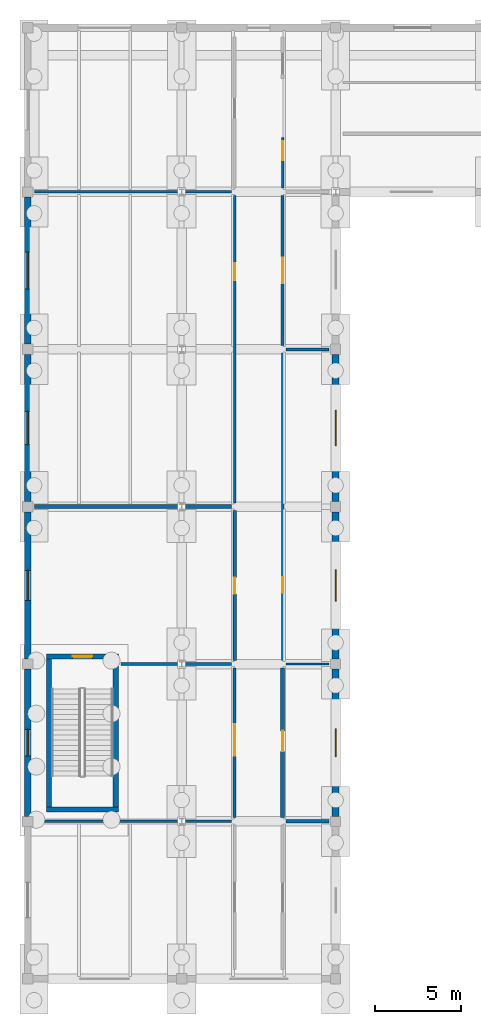
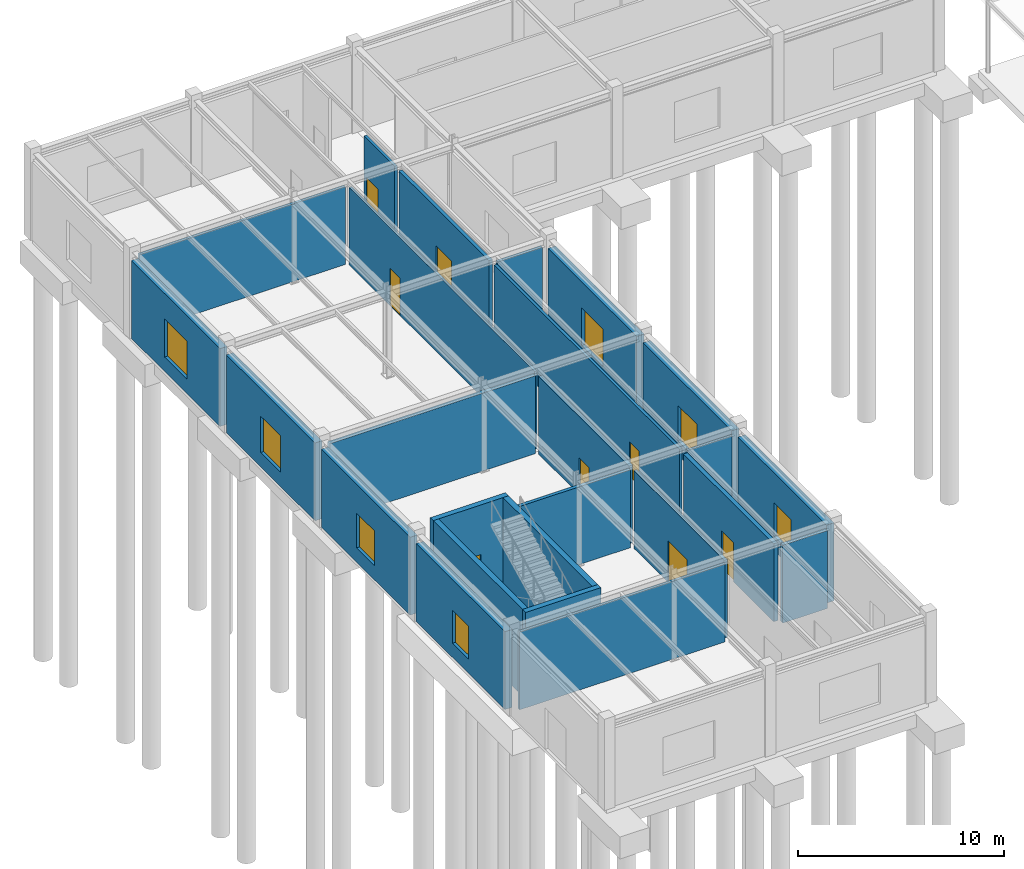
# One storey, part 58 of 76: 25 walls, 8 doors, 7 windows, 15 openings.
"""IFC4 building model written with IfcOpenShell, lengths in metres."""

import ifcopenshell
import ifcopenshell.guid

model = None  # the IFC model being written
_history = None  # IfcOwnerHistory: only IFC2X3 demands one
_inside = {}  # id of a spatial element -> (the spatial element, [elements in it])
_under = {}  # id of a project, library or spatial element -> (it, [spatial elements below it])
_declared = {}  # id of a project -> (the project, [libraries it declares])
_typed = {}  # id of a type object -> (the type object, [elements of that type])
_made_of = {}  # id of a material, layer set ... -> (it, [elements and type objects made of it])


def new_model(schema):
    """Start an empty IFC model of exactly this schema.

    Asked for "IFC4X3", IfcOpenShell would pick the latest addendum, in which some entities
    have other attributes; the version numbers below select the first issue.
    IFC2X3 requires an IfcOwnerHistory on every rooted entity: one is made here for all.
    """
    global model, _history
    if schema == "IFC4X3":
        model = ifcopenshell.file(schema_version=(4, 3, 0, 0))
    else:
        model = ifcopenshell.file(schema=schema)
    _inside.clear()
    _under.clear()
    _declared.clear()
    _typed.clear()
    _made_of.clear()
    _history = None
    if model.schema == "IFC2X3":
        org = make("IfcOrganization", Name="unknown")
        user = make(
            "IfcPersonAndOrganization",
            ThePerson=make("IfcPerson", FamilyName="unknown"),
            TheOrganization=org,
        )
        app = make(
            "IfcApplication",
            ApplicationDeveloper=org,
            Version="unknown",
            ApplicationFullName="unknown",
            ApplicationIdentifier="unknown",
        )
        _history = make(
            "IfcOwnerHistory",
            OwningUser=user,
            OwningApplication=app,
            ChangeAction="ADDED",
            CreationDate=0,
        )
    return model


def make(cls, **values):
    """One entity of the class cls with the attributes given. An attribute that is None is left unset."""
    return model.create_entity(
        cls, **{name: value for name, value in values.items() if value is not None}
    )


def rooted(cls, **values):
    """An entity with a GlobalId (a new one), such as an element, a storey or a relation."""
    return make(cls, GlobalId=ifcopenshell.guid.new(), OwnerHistory=_history, **values)


def si_unit(unit_type, name, prefix=None):
    """IfcSIUnit, for example si_unit("LENGTHUNIT", "METRE", prefix="MILLI")."""
    return make("IfcSIUnit", UnitType=unit_type, Prefix=prefix, Name=name)


def assignment(units):
    """IfcUnitAssignment: the units of a project."""
    return None if units is None else make("IfcUnitAssignment", Units=units)


def point(xyz):
    """IfcCartesianPoint."""
    return None if xyz is None else make("IfcCartesianPoint", Coordinates=xyz)


def direction(xyz):
    """IfcDirection."""
    return None if xyz is None else make("IfcDirection", DirectionRatios=xyz)


def frame(location, z_axis=None, x_axis=None):
    """IfcAxis2Placement3D, a coordinate frame: its origin and axes. An axis left out is left unset."""
    return make(
        "IfcAxis2Placement3D",
        Location=point(location),
        Axis=direction(z_axis),
        RefDirection=direction(x_axis),
    )


def frame_2d(location, x_axis=None):
    """IfcAxis2Placement2D, a coordinate frame in the plane: its origin and x axis."""
    return make(
        "IfcAxis2Placement2D", Location=point(location), RefDirection=direction(x_axis)
    )


def origin():
    """The frame at (0, 0, 0) with its axes left unset."""
    return frame((0.0, 0.0, 0.0))


def place(relative_to, where):
    """IfcLocalPlacement: puts the frame where relative to a parent placement (None: the world)."""
    return make(
        "IfcLocalPlacement", PlacementRelTo=relative_to, RelativePlacement=where
    )


def context(
    kind, dimensions, precision=None, world=None, true_north=None, identifier=None
):
    """IfcGeometricRepresentationContext, for example the 3D "Model" context."""
    return make(
        "IfcGeometricRepresentationContext",
        ContextIdentifier=identifier,
        ContextType=kind,
        CoordinateSpaceDimension=dimensions,
        Precision=precision,
        WorldCoordinateSystem=world,
        TrueNorth=true_north,
    )


def subcontext(parent, identifier, kind, view, scale=None):
    """IfcGeometricRepresentationSubContext, for example "Body" below "Model"."""
    return make(
        "IfcGeometricRepresentationSubContext",
        ContextIdentifier=identifier,
        ContextType=kind,
        ParentContext=parent,
        TargetScale=scale,
        TargetView=view,
    )


def project(units=None, contexts=None):
    """IfcProject with its units and contexts."""
    return rooted(
        "IfcProject",
        Name="project",
        RepresentationContexts=contexts,
        UnitsInContext=assignment(units),
    )


def spatial(cls, under=None, at=None, **own):
    """A site, building, storey or space (cls), placed at a placement, below another one or the project."""
    s = rooted(cls, ObjectPlacement=at, **own)
    if under is not None:
        _under.setdefault(under.id(), (under, []))[1].append(s)
    return s


def profile(cls, at=None, kind="AREA", **sizes):
    """A parametric profile (cls). Its sizes go by their IFC names, for example OverallWidth=200.0."""
    return make(cls, ProfileType=kind, Position=at, **sizes)


def rectangle(**sizes):
    """IfcRectangleProfileDef."""
    return profile("IfcRectangleProfileDef", **sizes)


def extrude(swept, where, along, depth):
    """IfcExtrudedAreaSolid: the profile swept, set in the frame where, extruded along a direction by depth."""
    return make(
        "IfcExtrudedAreaSolid",
        SweptArea=swept,
        Position=where,
        ExtrudedDirection=direction(along),
        Depth=depth,
    )


def shape(context_of_items, identifier, shape_type, items):
    """IfcShapeRepresentation: the items that make up one representation, for example the "Body"."""
    return make(
        "IfcShapeRepresentation",
        ContextOfItems=context_of_items,
        RepresentationIdentifier=identifier,
        RepresentationType=shape_type,
        Items=items,
    )


def material(Name=None, Category=None):
    """IfcMaterial."""
    return make("IfcMaterial", Name=Name, Category=Category)


def layer(
    of_material, thickness, ventilated=None, Name=None, Category=None, Priority=None
):
    """IfcMaterialLayer: one layer of a wall or slab, of a material (None: an air gap)."""
    return make(
        "IfcMaterialLayer",
        Material=of_material,
        LayerThickness=thickness,
        IsVentilated=ventilated,
        Name=Name,
        Category=Category,
        Priority=Priority,
    )


def layer_set(layers, Name=None):
    """IfcMaterialLayerSet."""
    return make("IfcMaterialLayerSet", MaterialLayers=layers, LayerSetName=Name)


def made_of(thing, what):
    """Note that an element or type object is made of a material, layer set ...; save() writes the relation."""
    if what is not None:
        _made_of.setdefault(what.id(), (what, []))[1].append(thing)
    return thing


def type_object(cls, material=None, **own):
    """A type object (cls), such as IfcWallType, which elements share."""
    return made_of(rooted(cls, **own), material)


def element(
    cls,
    number,
    at=None,
    inside=None,
    cuts=None,
    type_object=None,
    material=None,
    context=None,
    identifier="Body",
    shape_type=None,
    held_by="IfcProductDefinitionShape",
    body=None,
    shapes=None,
    **own,
):
    """One element of the class cls, such as IfcWall. Its Tag is "e" and its number.

    at: its placement. inside: the storey or other place that contains it. cuts: it is an
    opening in that element (IfcRelVoidsElement). A single representation is given by context,
    identifier, shape_type and body (its items); several are given by shapes. held_by: the class
    of the entity that holds the representations. save() writes the other relations.
    """
    e = rooted(cls, Tag="e%d" % number, ObjectPlacement=at, **own)
    if body is not None:
        shapes = [shape(context, identifier, shape_type, body)]
    if shapes is not None:
        e.Representation = make(held_by, Representations=shapes)
    if inside is not None:
        _inside.setdefault(inside.id(), (inside, []))[1].append(e)
    if cuts is not None:
        rooted(
            "IfcRelVoidsElement", RelatingBuildingElement=cuts, RelatedOpeningElement=e
        )
    if type_object is not None:
        _typed.setdefault(type_object.id(), (type_object, []))[1].append(e)
    return made_of(e, material)


def fill(opening, filler):
    """IfcRelFillsElement: the door or window that sits in an opening."""
    return rooted(
        "IfcRelFillsElement",
        RelatingOpeningElement=opening,
        RelatedBuildingElement=filler,
    )


def aggregate(whole, parts):
    """IfcRelAggregates: a whole, such as a stair, and the parts it consists of."""
    return rooted("IfcRelAggregates", RelatingObject=whole, RelatedObjects=parts)


def save(model, path):
    """Write the relations noted so far, then the file.

    IfcRelAggregates (storeys below a building ...), IfcRelContainedInSpatialStructure (elements
    in a storey), IfcRelDefinesByType, IfcRelAssociatesMaterial and IfcRelDeclares: one each for
    every whole, place, type object, material and project.
    """
    for whole, parts in _under.values():
        aggregate(whole, parts)
    for where, things in _inside.values():
        rooted(
            "IfcRelContainedInSpatialStructure",
            RelatedElements=things,
            RelatingStructure=where,
        )
    for kind, things in _typed.values():
        rooted("IfcRelDefinesByType", RelatedObjects=things, RelatingType=kind)
    for what, things in _made_of.values():
        rooted("IfcRelAssociatesMaterial", RelatedObjects=things, RelatingMaterial=what)
    for by, libraries in _declared.values():
        rooted("IfcRelDeclares", RelatingContext=by, RelatedDefinitions=libraries)
    model.write(path)


model = new_model("IFC4")

# Units and contexts
model_context = context("Model", 3, precision=1e-05, world=origin(), true_north=direction((0.0, 1.0)))
body_context = subcontext(model_context, "Body", "Model", "MODEL_VIEW")
ifc_project = project(units=[si_unit("LENGTHUNIT", "METRE"), si_unit("AREAUNIT", "SQUARE_METRE"), si_unit("VOLUMEUNIT", "CUBIC_METRE"), si_unit("PLANEANGLEUNIT", "RADIAN"), si_unit("MASSUNIT", "GRAM", prefix="KILO")], contexts=[model_context])

# Site, building, storey
site_placement = place(None, origin())
site = spatial("IfcSite", under=ifc_project, at=site_placement, CompositionType="ELEMENT")
building_placement = place(site_placement, origin())
building = spatial("IfcBuilding", under=site, at=building_placement, Name="Bozkorgan Art Gallery", CompositionType="ELEMENT")
storey_placement = place(building_placement, origin())
storey = spatial("IfcBuildingStorey", under=building, at=storey_placement, Name="L00", CompositionType="ELEMENT", Elevation=0.0)

# Wall, opening, door
ifc_material_1 = material(Name="Concrete C40/50", Category="concrete")
ifc_layer_1 = layer(ifc_material_1, 0.300048828125, Name="Concrete C40/50")
ifc_layer_set_1 = layer_set([ifc_layer_1], Name="Concrete C40/50")
wall_type_1 = type_object("IfcWallType", Name="IWALL-CW-44", PredefinedType="SHEAR", material=ifc_layer_set_1)
wall_1_placement = place(storey_placement, frame((3.10009765625, 75.64990234375, 0.0), z_axis=(0.0, 0.0, 1.0), x_axis=(1.0, 0.0, 0.0)))
wall_1 = element("IfcWall", 1, at=wall_1_placement, inside=storey, type_object=wall_type_1, Name="CORE5 L00 stair core north shear wall", PredefinedType="SHEAR", context=body_context, shape_type="SweptSolid", body=[
    extrude(rectangle(XDim=4.199951171875, YDim=0.300048828125, at=frame_2d((2.10009765625, 0.0))), origin(), (0.0, 0.0, 1.0), 5.139892578125),
])
opening_1_placement = place(wall_1_placement, frame((1.52490234375, 0.0, 0.0)))
opening_1 = element("IfcOpeningElement", 2, at=opening_1_placement, cuts=wall_1, Name="Opening SD-41", PredefinedType="OPENING", context=body_context, shape_type="SweptSolid", body=[
    extrude(rectangle(XDim=1.14990234375, YDim=2.199951171875, at=frame_2d((0.574951171875, 1.10009765625))), frame((0.0, 0.16015625, 0.0), z_axis=(0.0, -1.0, 0.0), x_axis=(1.0, 0.0, 0.0)), (0.0, 0.0, 1.0), 0.320068359375),
])
ifc_material_2 = material(Name="Steel S355J2", Category="steel")
door_type_1 = type_object("IfcDoorType", Name="IDOOR-SD-41", OperationType="NOTDEFINED", PredefinedType="DOOR", material=ifc_material_2)
door_1_placement = place(opening_1_placement, origin())
door_1 = element("IfcDoor", 3, at=door_1_placement, inside=storey, type_object=door_type_1, Name="ST5 L00 Fire Stair Door", OperationType="SINGLE_SWING_LEFT", OverallHeight=2.199951171875, OverallWidth=1.14990234375, PredefinedType="DOOR", context=body_context, shape_type="SweptSolid", body=[
    extrude(rectangle(XDim=1.14990234375, YDim=2.199951171875, at=frame_2d((0.574951171875, 1.10009765625))), frame((0.0, 0.02490234375, 0.0), z_axis=(0.0, -1.0, 0.0), x_axis=(1.0, 0.0, 0.0)), (0.0, 0.0, 1.0), 0.050048828125),
])
fill(opening_1, door_1)

# Walls
wall_2_placement = place(storey_placement, frame((3.10009765625, 66.699951171875, 0.0), z_axis=(0.0, 0.0, 1.0), x_axis=(1.0, 0.0, 0.0)))
element("IfcWall", 4, at=wall_2_placement, inside=storey, type_object=wall_type_1, Name="CORE5 L00 stair core S shear wall", PredefinedType="SHEAR", context=body_context, shape_type="SweptSolid", body=[
    extrude(rectangle(XDim=4.199951171875, YDim=0.300048828125, at=frame_2d((2.10009765625, 0.0))), origin(), (0.0, 0.0, 1.0), 5.139892578125),
])
for number, where, z_axis, x_axis, name in (
    (5, (3.25, 66.85009765625, 0.0), (0.0, 0.0, 1.0), (0.0, 1.0, 0.0), "CORE5 L00 stair core W shear wall"),
    (6, (7.14990234375, 66.85009765625, 0.0), (0.0, 0.0, 1.0), (0.0, 1.0, 0.0), "CORE5 L00 stair core E shear wall"),
):
    element("IfcWall", number, at=place(storey_placement, frame(where, z_axis=z_axis, x_axis=x_axis)), inside=storey, type_object=wall_type_1, Name=name, PredefinedType="SHEAR", context=body_context, shape_type="SweptSolid", body=[
        extrude(rectangle(XDim=8.64990234375, YDim=0.300048828125, at=frame_2d((4.324951171875, 0.0))), origin(), (0.0, 0.0, 1.0), 5.139892578125),
    ])

# Wall, opening, door
ifc_material_3 = material(Name="Acoustic Gypsum & Mineral Wool Partition")
ifc_layer_2 = layer(ifc_material_3, 0.22998046875, Name="Acoustic Gypsum & Mineral Wool Partition")
ifc_layer_set_2 = layer_set([ifc_layer_2], Name="Acoustic Gypsum & Mineral Wool Partition")
wall_type_2 = type_object("IfcWallType", Name="IWALL-PR-08", PredefinedType="PARTITIONING", material=ifc_layer_set_2)
wall_3_placement = place(storey_placement, frame((16.89990234375, 66.219970703125, 0.0), z_axis=(0.0, 0.0, 1.0), x_axis=(0.0, 1.0, 0.0)))
wall_3 = element("IfcWall", 7, at=wall_3_placement, inside=storey, type_object=wall_type_2, Name="V2 L00 acoustic partition wall 137", PredefinedType="PARTITIONING", context=body_context, shape_type="SweptSolid", body=[
    extrude(rectangle(XDim=8.760009765625, YDim=0.22998046875, at=frame_2d((4.3798828125, 0.0))), origin(), (0.0, 0.0, 1.0), 4.60498046875),
])
opening_2_placement = place(wall_3_placement, frame((3.8798828125, 0.0, 0.0)))
opening_2 = element("IfcOpeningElement", 8, at=opening_2_placement, cuts=wall_3, Name="Opening FD-05", PredefinedType="OPENING", context=body_context, shape_type="SweptSolid", body=[
    extrude(rectangle(XDim=1.199951171875, YDim=2.300048828125, at=frame_2d((0.60009765625, 1.14990234375))), frame((0.0, 0.125, 0.0), z_axis=(0.0, -1.0, 0.0), x_axis=(1.0, 0.0, 0.0)), (0.0, 0.0, 1.0), 0.25),
])
ifc_material_4 = material(Name="Oiled European Oak Joinery")
door_type_2 = type_object("IfcDoorType", Name="IDOOR-FD-05", OperationType="NOTDEFINED", PredefinedType="DOOR", material=ifc_material_4)
door_2_placement = place(opening_2_placement, origin())
door_2 = element("IfcDoor", 9, at=door_2_placement, inside=storey, type_object=door_type_2, Name="Exhibition Catalogue Salon Door", OperationType="SINGLE_SWING_RIGHT", OverallHeight=2.300048828125, OverallWidth=1.199951171875, PredefinedType="DOOR", context=body_context, shape_type="SweptSolid", body=[
    extrude(rectangle(XDim=1.199951171875, YDim=2.300048828125, at=frame_2d((0.60009765625, 1.14990234375))), frame((0.0, 0.02490234375, 0.0), z_axis=(0.0, -1.0, 0.0), x_axis=(1.0, 0.0, 0.0)), (0.0, 0.0, 1.0), 0.050048828125),
])
fill(opening_2, door_2)

ifc_layer_3 = layer(ifc_material_3, 0.2099609375, Name="Acoustic Gypsum & Mineral Wool Partition")
ifc_layer_set_3 = layer_set([ifc_layer_3], Name="Acoustic Gypsum & Mineral Wool Partition")
wall_type_3 = type_object("IfcWallType", Name="IWALL-PR-38", PredefinedType="PARTITIONING", material=ifc_layer_set_3)
wall_4_placement = place(storey_placement, frame((14.10009765625, 75.419921875, 0.0), z_axis=(0.0, 0.0, 1.0), x_axis=(0.0, 1.0, 0.0)))
wall_4 = element("IfcWall", 10, at=wall_4_placement, inside=storey, type_object=wall_type_3, Name="V2 L00 acoustic partition wall 130", PredefinedType="PARTITIONING", context=body_context, shape_type="SweptSolid", body=[
    extrude(rectangle(XDim=8.760009765625, YDim=0.2099609375, at=frame_2d((4.3798828125, 0.0))), origin(), (0.0, 0.0, 1.0), 4.60498046875),
])
opening_3_placement = place(wall_4_placement, frame((4.829833984375, 0.0, 0.0), z_axis=(0.0, 0.0, 1.0), x_axis=(-1.0, 0.0, 0.0)))
opening_3 = element("IfcOpeningElement", 11, at=opening_3_placement, cuts=wall_4, Name="Opening FD-92", PredefinedType="OPENING", context=body_context, shape_type="SweptSolid", body=[
    extrude(rectangle(XDim=0.949951171875, YDim=2.14990234375, at=frame_2d((0.47509765625, 1.074951171875))), frame((0.0, 0.114990234375, 0.0), z_axis=(0.0, -1.0, 0.0), x_axis=(1.0, 0.0, 0.0)), (0.0, 0.0, 1.0), 0.22998046875),
])
door_type_3 = type_object("IfcDoorType", Name="IDOOR-FD-92", OperationType="NOTDEFINED", PredefinedType="DOOR", material=ifc_material_4)
door_3_placement = place(opening_3_placement, origin())
door_3 = element("IfcDoor", 12, at=door_3_placement, inside=storey, type_object=door_type_3, Name="Garden Espresso Cafe Door", OperationType="SINGLE_SWING_RIGHT", OverallHeight=2.14990234375, OverallWidth=0.949951171875, PredefinedType="DOOR", context=body_context, shape_type="SweptSolid", body=[
    extrude(rectangle(XDim=0.949951171875, YDim=2.14990234375, at=frame_2d((0.47509765625, 1.074951171875))), frame((0.0, 0.02490234375, 0.0), z_axis=(0.0, -1.0, 0.0), x_axis=(1.0, 0.0, 0.0)), (0.0, 0.0, 1.0), 0.050048828125),
])
fill(opening_3, door_3)

ifc_layer_4 = layer(ifc_material_3, 0.169921875, Name="Acoustic Gypsum & Mineral Wool Partition")
ifc_layer_set_4 = layer_set([ifc_layer_4], Name="Acoustic Gypsum & Mineral Wool Partition")
wall_type_4 = type_object("IfcWallType", Name="IWALL-PR-40", PredefinedType="PARTITIONING", material=ifc_layer_set_4)
wall_5_placement = place(storey_placement, frame((14.10009765625, 66.219970703125, 0.0), z_axis=(0.0, 0.0, 1.0), x_axis=(0.0, 1.0, 0.0)))
wall_5 = element("IfcWall", 13, at=wall_5_placement, inside=storey, type_object=wall_type_4, Name="V2 L00 acoustic partition wall 128", PredefinedType="PARTITIONING", context=body_context, shape_type="SweptSolid", body=[
    extrude(rectangle(XDim=8.760009765625, YDim=0.169921875, at=frame_2d((4.3798828125, 0.0))), origin(), (0.0, 0.0, 1.0), 4.60498046875),
])
opening_4_placement = place(wall_5_placement, frame((5.449951171875, 0.0, 0.0), z_axis=(0.0, 0.0, 1.0), x_axis=(-1.0, 0.0, 0.0)))
opening_4 = element("IfcOpeningElement", 14, at=opening_4_placement, cuts=wall_5, Name="Opening GD-31", PredefinedType="OPENING", context=body_context, shape_type="SweptSolid", body=[
    extrude(rectangle(XDim=1.820068359375, YDim=2.4599609375, at=frame_2d((0.91015625, 1.22998046875))), frame((0.0, 0.094970703125, 0.0), z_axis=(0.0, -1.0, 0.0), x_axis=(1.0, 0.0, 0.0)), (0.0, 0.0, 1.0), 0.18994140625),
])
door_type_4 = type_object("IfcDoorType", Name="IDOOR-GD-31", OperationType="NOTDEFINED", PredefinedType="DOOR", material=ifc_material_4)
door_4_placement = place(opening_4_placement, origin())
door_4 = element("IfcDoor", 15, at=door_4_placement, inside=storey, type_object=door_type_4, Name="Ceramic Tilework Gallery Door", OperationType="DOUBLE_DOOR_SINGLE_SWING", OverallHeight=2.4599609375, OverallWidth=1.820068359375, PredefinedType="DOOR", context=body_context, shape_type="SweptSolid", body=[
    extrude(rectangle(XDim=1.820068359375, YDim=2.4599609375, at=frame_2d((0.91015625, 1.22998046875))), frame((0.0, 0.02490234375, 0.0), z_axis=(0.0, -1.0, 0.0), x_axis=(1.0, 0.0, 0.0)), (0.0, 0.0, 1.0), 0.050048828125),
])
fill(opening_4, door_4)

ifc_layer_5 = layer(ifc_material_3, 0.14990234375, Name="Acoustic Gypsum & Mineral Wool Partition")
ifc_layer_set_5 = layer_set([ifc_layer_5], Name="Acoustic Gypsum & Mineral Wool Partition")
wall_type_5 = type_object("IfcWallType", Name="IWALL-PR-55", PredefinedType="PARTITIONING", material=ifc_layer_set_5)
wall_6_placement = place(storey_placement, frame((16.89990234375, 75.419921875, 0.0), z_axis=(0.0, 0.0, 1.0), x_axis=(0.0, 1.0, 0.0)))
wall_6 = element("IfcWall", 16, at=wall_6_placement, inside=storey, type_object=wall_type_5, Name="V2 L00 acoustic partition wall 139", PredefinedType="PARTITIONING", context=body_context, shape_type="SweptSolid", body=[
    extrude(rectangle(XDim=17.9599609375, YDim=0.14990234375, at=frame_2d((8.97998046875, 0.0))), origin(), (0.0, 0.0, 1.0), 4.60498046875),
])
opening_5_placement = place(wall_6_placement, frame((3.935546875, 0.0, 0.0)))
opening_5 = element("IfcOpeningElement", 17, at=opening_5_placement, cuts=wall_6, Name="Opening FD-12", PredefinedType="OPENING", context=body_context, shape_type="SweptSolid", body=[
    extrude(rectangle(XDim=0.919921875, YDim=2.1201171875, at=frame_2d((0.4599609375, 1.06005859375))), frame((0.0, 0.0849609375, 0.0), z_axis=(0.0, -1.0, 0.0), x_axis=(1.0, 0.0, 0.0)), (0.0, 0.0, 1.0), 0.169921875),
])
door_type_5 = type_object("IfcDoorType", Name="IDOOR-FD-12", OperationType="NOTDEFINED", PredefinedType="DOOR", material=ifc_material_4)
door_5_placement = place(opening_5_placement, origin())
door_5 = element("IfcDoor", 18, at=door_5_placement, inside=storey, type_object=door_type_5, Name="Visitor Cloakroom Door", OperationType="SINGLE_SWING_LEFT", OverallHeight=2.1201171875, OverallWidth=0.919921875, PredefinedType="DOOR", context=body_context, shape_type="SweptSolid", body=[
    extrude(rectangle(XDim=0.919921875, YDim=2.1201171875, at=frame_2d((0.4599609375, 1.06005859375))), frame((0.0, 0.02490234375, 0.0), z_axis=(0.0, -1.0, 0.0), x_axis=(1.0, 0.0, 0.0)), (0.0, 0.0, 1.0), 0.050048828125),
])
fill(opening_5, door_5)

wall_7_placement = place(storey_placement, frame((16.89990234375, 103.02001953125, 0.0), z_axis=(0.0, 0.0, 1.0), x_axis=(0.0, 1.0, 0.0)))
wall_7 = element("IfcWall", 19, at=wall_7_placement, inside=storey, type_object=wall_type_5, Name="V2 L00 acoustic partition wall 145", PredefinedType="PARTITIONING", context=body_context, shape_type="SweptSolid", body=[
    extrude(rectangle(XDim=2.9599609375, YDim=0.14990234375, at=frame_2d((1.47998046875, 0.0))), origin(), (0.0, 0.0, 1.0), 4.60498046875),
])
opening_6_placement = place(wall_7_placement, frame((1.6201171875, 0.0, 0.0)))
opening_6 = element("IfcOpeningElement", 20, at=opening_6_placement, cuts=wall_7, Name="Opening FD-89", PredefinedType="OPENING", context=body_context, shape_type="SweptSolid", body=[
    extrude(rectangle(XDim=1.1201171875, YDim=2.260009765625, at=frame_2d((0.56005859375, 1.1298828125))), frame((0.0, 0.0849609375, 0.0), z_axis=(0.0, -1.0, 0.0), x_axis=(1.0, 0.0, 0.0)), (0.0, 0.0, 1.0), 0.169921875),
])
door_type_6 = type_object("IfcDoorType", Name="IDOOR-FD-89", OperationType="NOTDEFINED", PredefinedType="DOOR", material=ifc_material_4)
door_6_placement = place(opening_6_placement, origin())
door_6 = element("IfcDoor", 21, at=door_6_placement, inside=storey, type_object=door_type_6, Name="Artist Talk Salon Door", OperationType="SINGLE_SWING_LEFT", OverallHeight=2.260009765625, OverallWidth=1.1201171875, PredefinedType="DOOR", context=body_context, shape_type="SweptSolid", body=[
    extrude(rectangle(XDim=1.1201171875, YDim=2.260009765625, at=frame_2d((0.56005859375, 1.1298828125))), frame((0.0, 0.02490234375, 0.0), z_axis=(0.0, -1.0, 0.0), x_axis=(1.0, 0.0, 0.0)), (0.0, 0.0, 1.0), 0.050048828125),
])
fill(opening_6, door_6)

ifc_layer_6 = layer(ifc_material_3, 0.18994140625, Name="Acoustic Gypsum & Mineral Wool Partition")
ifc_layer_set_6 = layer_set([ifc_layer_6], Name="Acoustic Gypsum & Mineral Wool Partition")
wall_type_6 = type_object("IfcWallType", Name="IWALL-PR-66", PredefinedType="PARTITIONING", material=ifc_layer_set_6)
wall_8_placement = place(storey_placement, frame((16.89990234375, 93.820068359375, 0.0), z_axis=(0.0, 0.0, 1.0), x_axis=(0.0, 1.0, 0.0)))
wall_8 = element("IfcWall", 22, at=wall_8_placement, inside=storey, type_object=wall_type_6, Name="V2 L00 acoustic partition wall 141", PredefinedType="PARTITIONING", context=body_context, shape_type="SweptSolid", body=[
    extrude(rectangle(XDim=8.760009765625, YDim=0.18994140625, at=frame_2d((4.3798828125, 0.0))), origin(), (0.0, 0.0, 1.0), 4.60498046875),
])
opening_7_placement = place(wall_8_placement, frame((3.6298828125, 0.0, 0.0)))
opening_7 = element("IfcOpeningElement", 23, at=opening_7_placement, cuts=wall_8, Name="Opening GD-06", PredefinedType="OPENING", context=body_context, shape_type="SweptSolid", body=[
    extrude(rectangle(XDim=1.5, YDim=2.35009765625, at=frame_2d((0.75, 1.175048828125))), frame((0.0, 0.10498046875, 0.0), z_axis=(0.0, -1.0, 0.0), x_axis=(1.0, 0.0, 0.0)), (0.0, 0.0, 1.0), 0.2099609375),
])
door_type_7 = type_object("IfcDoorType", Name="IDOOR-GD-06", OperationType="NOTDEFINED", PredefinedType="DOOR", material=ifc_material_4)
door_7_placement = place(opening_7_placement, origin())
door_7 = element("IfcDoor", 24, at=door_7_placement, inside=storey, type_object=door_type_7, Name="Sculpture Cloister Gallery Door", OperationType="DOUBLE_DOOR_SINGLE_SWING", OverallHeight=2.35009765625, OverallWidth=1.5, PredefinedType="DOOR", context=body_context, shape_type="SweptSolid", body=[
    extrude(rectangle(XDim=1.5, YDim=2.35009765625, at=frame_2d((0.75, 1.175048828125))), frame((0.0, 0.02490234375, 0.0), z_axis=(0.0, -1.0, 0.0), x_axis=(1.0, 0.0, 0.0)), (0.0, 0.0, 1.0), 0.050048828125),
])
fill(opening_7, door_7)

ifc_layer_7 = layer(ifc_material_3, 0.1298828125, Name="Acoustic Gypsum & Mineral Wool Partition")
ifc_layer_set_7 = layer_set([ifc_layer_7], Name="Acoustic Gypsum & Mineral Wool Partition")
wall_type_7 = type_object("IfcWallType", Name="IWALL-PR-76", PredefinedType="PARTITIONING", material=ifc_layer_set_7)
wall_9_placement = place(storey_placement, frame((14.10009765625, 84.6201171875, 0.0), z_axis=(0.0, 0.0, 1.0), x_axis=(0.0, 1.0, 0.0)))
wall_9 = element("IfcWall", 25, at=wall_9_placement, inside=storey, type_object=wall_type_7, Name="V2 L00 acoustic partition wall 132", PredefinedType="PARTITIONING", context=body_context, shape_type="SweptSolid", body=[
    extrude(rectangle(XDim=17.9599609375, YDim=0.1298828125, at=frame_2d((8.97998046875, 0.0))), origin(), (0.0, 0.0, 1.0), 4.60498046875),
])
opening_8_placement = place(wall_9_placement, frame((14.0244140625, 0.0, 0.0), z_axis=(0.0, 0.0, 1.0), x_axis=(-1.0, 0.0, 0.0)))
opening_8 = element("IfcOpeningElement", 26, at=opening_8_placement, cuts=wall_9, Name="Opening FD-60", PredefinedType="OPENING", context=body_context, shape_type="SweptSolid", body=[
    extrude(rectangle(XDim=1.0, YDim=2.199951171875, at=frame_2d((0.5, 1.10009765625))), frame((0.0, 0.074951171875, 0.0), z_axis=(0.0, -1.0, 0.0), x_axis=(1.0, 0.0, 0.0)), (0.0, 0.0, 1.0), 0.14990234375),
])
door_type_8 = type_object("IfcDoorType", Name="IDOOR-FD-60", OperationType="NOTDEFINED", PredefinedType="DOOR", material=ifc_material_4)
door_8_placement = place(opening_8_placement, origin())
door_8 = element("IfcDoor", 27, at=door_8_placement, inside=storey, type_object=door_type_8, Name="Artist Talk Salon Door", OperationType="SINGLE_SWING_LEFT", OverallHeight=2.199951171875, OverallWidth=1.0, PredefinedType="DOOR", context=body_context, shape_type="SweptSolid", body=[
    extrude(rectangle(XDim=1.0, YDim=2.199951171875, at=frame_2d((0.5, 1.10009765625))), frame((0.0, 0.02490234375, 0.0), z_axis=(0.0, -1.0, 0.0), x_axis=(1.0, 0.0, 0.0)), (0.0, 0.0, 1.0), 0.050048828125),
])
fill(opening_8, door_8)

# Walls
ifc_layer_8 = layer(ifc_material_3, 0.169921875, Name="Acoustic Gypsum & Mineral Wool Partition")
ifc_layer_set_8 = layer_set([ifc_layer_8], Name="Acoustic Gypsum & Mineral Wool Partition")
wall_type_8 = type_object("IfcWallType", Name="IWALL-PW-02", PredefinedType="PARTITIONING", material=ifc_layer_set_8)
wall_10_placement = place(storey_placement, frame((17.10009765625, 93.60009765625, 0.0), z_axis=(0.0, 0.0, 1.0), x_axis=(1.0, 0.0, 0.0)))
element("IfcWall", 28, at=wall_10_placement, inside=storey, type_object=wall_type_8, Name="V2 L00 acoustic partition wall 140", PredefinedType="PARTITIONING", context=body_context, shape_type="SweptSolid", body=[
    extrude(rectangle(XDim=2.5, YDim=0.169921875, at=frame_2d((1.25, 0.0))), origin(), (0.0, 0.0, 1.0), 4.60498046875),
])
ifc_layer_9 = layer(ifc_material_3, 0.14990234375, Name="Acoustic Gypsum & Mineral Wool Partition")
ifc_layer_set_9 = layer_set([ifc_layer_9], Name="Acoustic Gypsum & Mineral Wool Partition")
wall_type_9 = type_object("IfcWallType", Name="IWALL-PW-17", PredefinedType="PARTITIONING", material=ifc_layer_set_9)
for number, where, z_axis, x_axis, name in (
    (29, (2.39990234375, 66.0, 0.0), (0.0, 0.0, 1.0), (1.0, 0.0, 0.0), "V2 L00 acoustic partition wall 127"),
    (30, (2.39990234375, 102.800048828125, 0.0), (0.0, 0.0, 1.0), (1.0, 0.0, 0.0), "V2 L00 acoustic partition wall 133"),
):
    element("IfcWall", number, at=place(storey_placement, frame(where, z_axis=z_axis, x_axis=x_axis)), inside=storey, type_object=wall_type_9, Name=name, PredefinedType="PARTITIONING", context=body_context, shape_type="SweptSolid", body=[
        extrude(rectangle(XDim=11.5, YDim=0.14990234375, at=frame_2d((5.75, 0.0))), origin(), (0.0, 0.0, 1.0), 4.60498046875),
    ])
ifc_layer_10 = layer(ifc_material_3, 0.18994140625, Name="Acoustic Gypsum & Mineral Wool Partition")
ifc_layer_set_10 = layer_set([ifc_layer_10], Name="Acoustic Gypsum & Mineral Wool Partition")
wall_type_10 = type_object("IfcWallType", Name="IWALL-PW-23", PredefinedType="PARTITIONING", material=ifc_layer_set_10)
wall_11_placement = place(storey_placement, frame((7.4599609375, 75.199951171875, 0.0), z_axis=(0.0, 0.0, 1.0), x_axis=(1.0, 0.0, 0.0)))
element("IfcWall", 31, at=wall_11_placement, inside=storey, type_object=wall_type_10, Name="V2 L00 acoustic partition wall 129", PredefinedType="PARTITIONING", context=body_context, shape_type="SweptSolid", body=[
    extrude(rectangle(XDim=6.43994140625, YDim=0.18994140625, at=frame_2d((3.219970703125, 0.0))), origin(), (0.0, 0.0, 1.0), 4.60498046875),
])
ifc_layer_11 = layer(ifc_material_3, 0.2099609375, Name="Acoustic Gypsum & Mineral Wool Partition")
ifc_layer_set_11 = layer_set([ifc_layer_11], Name="Acoustic Gypsum & Mineral Wool Partition")
wall_type_11 = type_object("IfcWallType", Name="IWALL-PW-72", PredefinedType="PARTITIONING", material=ifc_layer_set_11)
wall_12_placement = place(storey_placement, frame((17.10009765625, 66.0, 0.0), z_axis=(0.0, 0.0, 1.0), x_axis=(1.0, 0.0, 0.0)))
element("IfcWall", 32, at=wall_12_placement, inside=storey, type_object=wall_type_11, Name="V2 L00 acoustic partition wall 136", PredefinedType="PARTITIONING", context=body_context, shape_type="SweptSolid", body=[
    extrude(rectangle(XDim=2.5, YDim=0.2099609375, at=frame_2d((1.25, 0.0))), origin(), (0.0, 0.0, 1.0), 4.60498046875),
])
ifc_layer_12 = layer(ifc_material_3, 0.22998046875, Name="Acoustic Gypsum & Mineral Wool Partition")
ifc_layer_set_12 = layer_set([ifc_layer_12], Name="Acoustic Gypsum & Mineral Wool Partition")
wall_type_12 = type_object("IfcWallType", Name="IWALL-PW-96", PredefinedType="PARTITIONING", material=ifc_layer_set_12)
wall_13_placement = place(storey_placement, frame((2.39990234375, 84.39990234375, 0.0), z_axis=(0.0, 0.0, 1.0), x_axis=(1.0, 0.0, 0.0)))
element("IfcWall", 33, at=wall_13_placement, inside=storey, type_object=wall_type_12, Name="V2 L00 acoustic partition wall 131", PredefinedType="PARTITIONING", context=body_context, shape_type="SweptSolid", body=[
    extrude(rectangle(XDim=11.5, YDim=0.22998046875, at=frame_2d((5.75, 0.0))), origin(), (0.0, 0.0, 1.0), 4.60498046875),
])
ifc_layer_13 = layer(ifc_material_3, 0.1298828125, Name="Acoustic Gypsum & Mineral Wool Partition")
ifc_layer_set_13 = layer_set([ifc_layer_13], Name="Acoustic Gypsum & Mineral Wool Partition")
wall_type_13 = type_object("IfcWallType", Name="IWALL-PW-97", PredefinedType="PARTITIONING", material=ifc_layer_set_13)
wall_14_placement = place(storey_placement, frame((17.10009765625, 75.199951171875, 0.0), z_axis=(0.0, 0.0, 1.0), x_axis=(1.0, 0.0, 0.0)))
element("IfcWall", 34, at=wall_14_placement, inside=storey, type_object=wall_type_13, Name="V2 L00 acoustic partition wall 138", PredefinedType="PARTITIONING", context=body_context, shape_type="SweptSolid", body=[
    extrude(rectangle(XDim=2.5, YDim=0.1298828125, at=frame_2d((1.25, 0.0))), origin(), (0.0, 0.0, 1.0), 4.60498046875),
])

# Wall, opening, window
ifc_material_5 = material(Name="Kordai Rose Granite Ashlar", Category="masonry")
ifc_layer_14 = layer(ifc_material_5, 0.419921875, Name="Kordai Rose Granite Ashlar")
ifc_layer_set_14 = layer_set([ifc_layer_14], Name="Kordai Rose Granite Ashlar")
wall_type_14 = type_object("IfcWallType", Name="WALL-WG-54", PredefinedType="STANDARD", material=ifc_layer_set_14)
wall_15_placement = place(storey_placement, frame((20.0, 66.300048828125, 0.0), z_axis=(0.0, 0.0, 1.0), x_axis=(0.0, 1.0, 0.0)))
wall_15 = element("IfcWall", 35, at=wall_15_placement, inside=storey, type_object=wall_type_14, Name="V2 L00 exterior facade wall 1E-8", PredefinedType="STANDARD", context=body_context, shape_type="SweptSolid", body=[
    extrude(rectangle(XDim=8.599853515625, YDim=0.419921875, at=frame_2d((4.2998046875, 0.0))), origin(), (0.0, 0.0, 1.0), 4.60498046875),
])
opening_9_placement = place(wall_15_placement, frame((5.125, 0.0, 0.85009765625), z_axis=(0.0, 0.0, 1.0), x_axis=(-1.0, 0.0, 0.0)))
opening_9 = element("IfcOpeningElement", 36, at=opening_9_placement, cuts=wall_15, Name="Opening WN-36", PredefinedType="OPENING", context=body_context, shape_type="SweptSolid", body=[
    extrude(rectangle(XDim=1.64990234375, YDim=2.0, at=frame_2d((0.824951171875, 1.0))), frame((0.0, 0.219970703125, 0.0), z_axis=(0.0, -1.0, 0.0), x_axis=(1.0, 0.0, 0.0)), (0.0, 0.0, 1.0), 0.43994140625),
])
ifc_material_6 = material(Name="Triple Low-E Laminated Glass", Category="glass")
window_type_1 = type_object("IfcWindowType", Name="WIN-WN-36", PartitioningType="SINGLE_PANEL", PredefinedType="WINDOW", material=ifc_material_6)
window_1_placement = place(opening_9_placement, origin())
window_1 = element("IfcWindow", 37, at=window_1_placement, inside=storey, type_object=window_type_1, Name="V2 L00 gallery window 1E-8", OverallHeight=2.0, OverallWidth=1.64990234375, PartitioningType="SINGLE_PANEL", PredefinedType="WINDOW", context=body_context, shape_type="SweptSolid", body=[
    extrude(rectangle(XDim=1.64990234375, YDim=2.0, at=frame_2d((0.824951171875, 1.0))), frame((0.0, 0.030029296875, 0.0), z_axis=(0.0, -1.0, 0.0), x_axis=(1.0, 0.0, 0.0)), (0.0, 0.0, 1.0), 0.06005859375),
])
fill(opening_9, window_1)

wall_16_placement = place(storey_placement, frame((20.0, 75.5, 0.0), z_axis=(0.0, 0.0, 1.0), x_axis=(0.0, 1.0, 0.0)))
wall_16 = element("IfcWall", 38, at=wall_16_placement, inside=storey, type_object=wall_type_14, Name="V2 L00 exterior facade wall 1E-10", PredefinedType="STANDARD", context=body_context, shape_type="SweptSolid", body=[
    extrude(rectangle(XDim=8.60009765625, YDim=0.419921875, at=frame_2d((4.300048828125, 0.0))), origin(), (0.0, 0.0, 1.0), 4.60498046875),
])
opening_10_placement = place(wall_16_placement, frame((5.22509765625, 0.0, 0.85009765625), z_axis=(0.0, 0.0, 1.0), x_axis=(-1.0, 0.0, 0.0)))
opening_10 = element("IfcOpeningElement", 39, at=opening_10_placement, cuts=wall_16, Name="Opening WN-04", PredefinedType="OPENING", context=body_context, shape_type="SweptSolid", body=[
    extrude(rectangle(XDim=1.85009765625, YDim=2.10009765625, at=frame_2d((0.925048828125, 1.050048828125))), frame((0.0, 0.219970703125, 0.0), z_axis=(0.0, -1.0, 0.0), x_axis=(1.0, 0.0, 0.0)), (0.0, 0.0, 1.0), 0.43994140625),
])
window_type_2 = type_object("IfcWindowType", Name="WIN-WN-04", PartitioningType="SINGLE_PANEL", PredefinedType="WINDOW", material=ifc_material_6)
window_2_placement = place(opening_10_placement, origin())
window_2 = element("IfcWindow", 40, at=window_2_placement, inside=storey, type_object=window_type_2, Name="V2 L00 gallery window 1E-10", OverallHeight=2.10009765625, OverallWidth=1.85009765625, PartitioningType="SINGLE_PANEL", PredefinedType="WINDOW", context=body_context, shape_type="SweptSolid", body=[
    extrude(rectangle(XDim=1.85009765625, YDim=2.10009765625, at=frame_2d((0.925048828125, 1.050048828125))), frame((0.0, 0.030029296875, 0.0), z_axis=(0.0, -1.0, 0.0), x_axis=(1.0, 0.0, 0.0)), (0.0, 0.0, 1.0), 0.06005859375),
])
fill(opening_10, window_2)

wall_17_placement = place(storey_placement, frame((20.0, 84.699951171875, 0.0), z_axis=(0.0, 0.0, 1.0), x_axis=(0.0, 1.0, 0.0)))
wall_17 = element("IfcWall", 41, at=wall_17_placement, inside=storey, type_object=wall_type_14, Name="V2 L00 exterior facade wall 1E-12", PredefinedType="STANDARD", context=body_context, shape_type="SweptSolid", body=[
    extrude(rectangle(XDim=8.60009765625, YDim=0.419921875, at=frame_2d((4.300048828125, 0.0))), origin(), (0.0, 0.0, 1.0), 4.60498046875),
])
opening_11_placement = place(wall_17_placement, frame((5.324951171875, 0.0, 0.85009765625), z_axis=(0.0, 0.0, 1.0), x_axis=(-1.0, 0.0, 0.0)))
opening_11 = element("IfcOpeningElement", 42, at=opening_11_placement, cuts=wall_17, Name="Opening WN-39", PredefinedType="OPENING", context=body_context, shape_type="SweptSolid", body=[
    extrude(rectangle(XDim=2.050048828125, YDim=2.199951171875, at=frame_2d((1.02490234375, 1.10009765625))), frame((0.0, 0.219970703125, 0.0), z_axis=(0.0, -1.0, 0.0), x_axis=(1.0, 0.0, 0.0)), (0.0, 0.0, 1.0), 0.43994140625),
])
window_type_3 = type_object("IfcWindowType", Name="WIN-WN-39", PartitioningType="SINGLE_PANEL", PredefinedType="WINDOW", material=ifc_material_6)
window_3_placement = place(opening_11_placement, origin())
window_3 = element("IfcWindow", 43, at=window_3_placement, inside=storey, type_object=window_type_3, Name="V2 L00 gallery window 1E-12", OverallHeight=2.199951171875, OverallWidth=2.050048828125, PartitioningType="SINGLE_PANEL", PredefinedType="WINDOW", context=body_context, shape_type="SweptSolid", body=[
    extrude(rectangle(XDim=2.050048828125, YDim=2.199951171875, at=frame_2d((1.02490234375, 1.10009765625))), frame((0.0, 0.030029296875, 0.0), z_axis=(0.0, -1.0, 0.0), x_axis=(1.0, 0.0, 0.0)), (0.0, 0.0, 1.0), 0.06005859375),
])
fill(opening_11, window_3)

ifc_layer_15 = layer(ifc_material_5, 0.39990234375, Name="Kordai Rose Granite Ashlar")
ifc_layer_set_15 = layer_set([ifc_layer_15], Name="Kordai Rose Granite Ashlar")
wall_type_15 = type_object("IfcWallType", Name="WALL-WG-66", PredefinedType="STANDARD", material=ifc_layer_set_15)
wall_18_placement = place(storey_placement, frame((2.0, 66.300048828125, 0.0), z_axis=(0.0, 0.0, 1.0), x_axis=(0.0, 1.0, 0.0)))
wall_18 = element("IfcWall", 44, at=wall_18_placement, inside=storey, type_object=wall_type_15, Name="V2 L00 exterior facade wall 1W-7", PredefinedType="STANDARD", context=body_context, shape_type="SweptSolid", body=[
    extrude(rectangle(XDim=8.599853515625, YDim=0.39990234375, at=frame_2d((4.2998046875, 0.0))), origin(), (0.0, 0.0, 1.0), 4.60498046875),
])
opening_12_placement = place(wall_18_placement, frame((3.52490234375, 0.0, 0.85009765625)))
opening_12 = element("IfcOpeningElement", 45, at=opening_12_placement, cuts=wall_18, Name="Opening WN-44", PredefinedType="OPENING", context=body_context, shape_type="SweptSolid", body=[
    extrude(rectangle(XDim=1.550048828125, YDim=1.949951171875, at=frame_2d((0.77490234375, 0.97509765625))), frame((0.0, 0.2099609375, 0.0), z_axis=(0.0, -1.0, 0.0), x_axis=(1.0, 0.0, 0.0)), (0.0, 0.0, 1.0), 0.419921875),
])
window_type_4 = type_object("IfcWindowType", Name="WIN-WN-44", PartitioningType="SINGLE_PANEL", PredefinedType="WINDOW", material=ifc_material_6)
window_4_placement = place(opening_12_placement, origin())
window_4 = element("IfcWindow", 46, at=window_4_placement, inside=storey, type_object=window_type_4, Name="V2 L00 gallery window 1W-7", OverallHeight=1.949951171875, OverallWidth=1.550048828125, PartitioningType="SINGLE_PANEL", PredefinedType="WINDOW", context=body_context, shape_type="SweptSolid", body=[
    extrude(rectangle(XDim=1.550048828125, YDim=1.949951171875, at=frame_2d((0.77490234375, 0.97509765625))), frame((0.0, 0.030029296875, 0.0), z_axis=(0.0, -1.0, 0.0), x_axis=(1.0, 0.0, 0.0)), (0.0, 0.0, 1.0), 0.06005859375),
])
fill(opening_12, window_4)

wall_19_placement = place(storey_placement, frame((2.0, 75.5, 0.0), z_axis=(0.0, 0.0, 1.0), x_axis=(0.0, 1.0, 0.0)))
wall_19 = element("IfcWall", 47, at=wall_19_placement, inside=storey, type_object=wall_type_15, Name="V2 L00 exterior facade wall 1W-9", PredefinedType="STANDARD", context=body_context, shape_type="SweptSolid", body=[
    extrude(rectangle(XDim=8.60009765625, YDim=0.39990234375, at=frame_2d((4.300048828125, 0.0))), origin(), (0.0, 0.0, 1.0), 4.60498046875),
])
opening_13_placement = place(wall_19_placement, frame((3.425048828125, 0.0, 0.85009765625)))
opening_13 = element("IfcOpeningElement", 48, at=opening_13_placement, cuts=wall_19, Name="Opening WN-98", PredefinedType="OPENING", context=body_context, shape_type="SweptSolid", body=[
    extrude(rectangle(XDim=1.75, YDim=2.050048828125, at=frame_2d((0.875, 1.02490234375))), frame((0.0, 0.2099609375, 0.0), z_axis=(0.0, -1.0, 0.0), x_axis=(1.0, 0.0, 0.0)), (0.0, 0.0, 1.0), 0.419921875),
])
window_type_5 = type_object("IfcWindowType", Name="WIN-WN-98", PartitioningType="SINGLE_PANEL", PredefinedType="WINDOW", material=ifc_material_6)
window_5_placement = place(opening_13_placement, origin())
window_5 = element("IfcWindow", 49, at=window_5_placement, inside=storey, type_object=window_type_5, Name="V2 L00 gallery window 1W-9", OverallHeight=2.050048828125, OverallWidth=1.75, PartitioningType="SINGLE_PANEL", PredefinedType="WINDOW", context=body_context, shape_type="SweptSolid", body=[
    extrude(rectangle(XDim=1.75, YDim=2.050048828125, at=frame_2d((0.875, 1.02490234375))), frame((0.0, 0.030029296875, 0.0), z_axis=(0.0, -1.0, 0.0), x_axis=(1.0, 0.0, 0.0)), (0.0, 0.0, 1.0), 0.06005859375),
])
fill(opening_13, window_5)

wall_20_placement = place(storey_placement, frame((2.0, 84.699951171875, 0.0), z_axis=(0.0, 0.0, 1.0), x_axis=(0.0, 1.0, 0.0)))
wall_20 = element("IfcWall", 50, at=wall_20_placement, inside=storey, type_object=wall_type_15, Name="V2 L00 exterior facade wall 1W-11", PredefinedType="STANDARD", context=body_context, shape_type="SweptSolid", body=[
    extrude(rectangle(XDim=8.60009765625, YDim=0.39990234375, at=frame_2d((4.300048828125, 0.0))), origin(), (0.0, 0.0, 1.0), 4.60498046875),
])
opening_14_placement = place(wall_20_placement, frame((3.324951171875, 0.0, 0.85009765625)))
opening_14 = element("IfcOpeningElement", 51, at=opening_14_placement, cuts=wall_20, Name="Opening WN-18", PredefinedType="OPENING", context=body_context, shape_type="SweptSolid", body=[
    extrude(rectangle(XDim=1.949951171875, YDim=2.14990234375, at=frame_2d((0.97509765625, 1.074951171875))), frame((0.0, 0.2099609375, 0.0), z_axis=(0.0, -1.0, 0.0), x_axis=(1.0, 0.0, 0.0)), (0.0, 0.0, 1.0), 0.419921875),
])
window_type_6 = type_object("IfcWindowType", Name="WIN-WN-18", PartitioningType="SINGLE_PANEL", PredefinedType="WINDOW", material=ifc_material_6)
window_6_placement = place(opening_14_placement, origin())
window_6 = element("IfcWindow", 52, at=window_6_placement, inside=storey, type_object=window_type_6, Name="V2 L00 gallery window 1W-11", OverallHeight=2.14990234375, OverallWidth=1.949951171875, PartitioningType="SINGLE_PANEL", PredefinedType="WINDOW", context=body_context, shape_type="SweptSolid", body=[
    extrude(rectangle(XDim=1.949951171875, YDim=2.14990234375, at=frame_2d((0.97509765625, 1.074951171875))), frame((0.0, 0.030029296875, 0.0), z_axis=(0.0, -1.0, 0.0), x_axis=(1.0, 0.0, 0.0)), (0.0, 0.0, 1.0), 0.06005859375),
])
fill(opening_14, window_6)

wall_21_placement = place(storey_placement, frame((2.0, 93.89990234375, 0.0), z_axis=(0.0, 0.0, 1.0), x_axis=(0.0, 1.0, 0.0)))
wall_21 = element("IfcWall", 53, at=wall_21_placement, inside=storey, type_object=wall_type_15, Name="V2 L00 exterior facade wall 1W-13", PredefinedType="STANDARD", context=body_context, shape_type="SweptSolid", body=[
    extrude(rectangle(XDim=8.60009765625, YDim=0.39990234375, at=frame_2d((4.300048828125, 0.0))), origin(), (0.0, 0.0, 1.0), 4.60498046875),
])
opening_15_placement = place(wall_21_placement, frame((3.22509765625, 0.0, 0.85009765625)))
opening_15 = element("IfcOpeningElement", 54, at=opening_15_placement, cuts=wall_21, Name="Opening WN-56", PredefinedType="OPENING", context=body_context, shape_type="SweptSolid", body=[
    extrude(rectangle(XDim=2.14990234375, YDim=2.25, at=frame_2d((1.074951171875, 1.125))), frame((0.0, 0.2099609375, 0.0), z_axis=(0.0, -1.0, 0.0), x_axis=(1.0, 0.0, 0.0)), (0.0, 0.0, 1.0), 0.419921875),
])
window_type_7 = type_object("IfcWindowType", Name="WIN-WN-56", PartitioningType="SINGLE_PANEL", PredefinedType="WINDOW", material=ifc_material_6)
window_7_placement = place(opening_15_placement, origin())
window_7 = element("IfcWindow", 55, at=window_7_placement, inside=storey, type_object=window_type_7, Name="V2 L00 gallery window 1W-13", OverallHeight=2.25, OverallWidth=2.14990234375, PartitioningType="SINGLE_PANEL", PredefinedType="WINDOW", context=body_context, shape_type="SweptSolid", body=[
    extrude(rectangle(XDim=2.14990234375, YDim=2.25, at=frame_2d((1.074951171875, 1.125))), frame((0.0, 0.030029296875, 0.0), z_axis=(0.0, -1.0, 0.0), x_axis=(1.0, 0.0, 0.0)), (0.0, 0.0, 1.0), 0.06005859375),
])
fill(opening_15, window_7)

save(model, "model.ifc")
